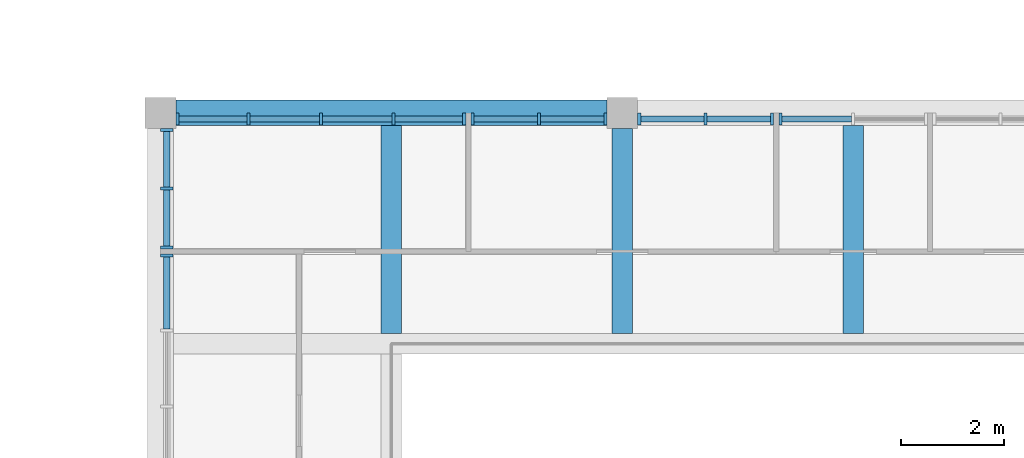
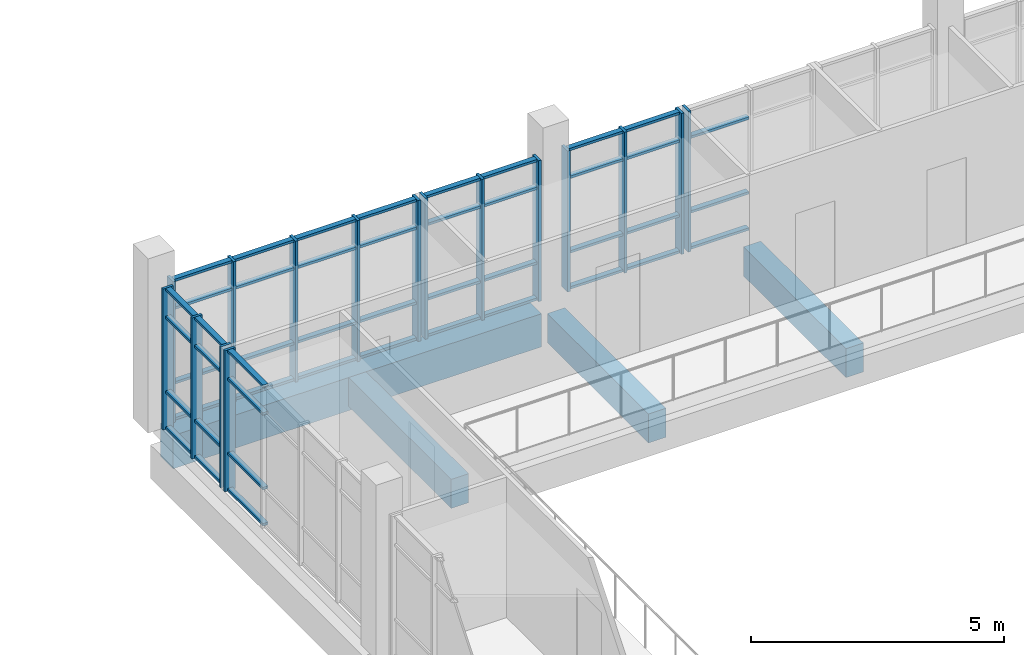
# One storey, part 9 of 88: 63 members, 4 beams, 6 elements without a shape of their own.
"""IFC4 building model written with IfcOpenShell, lengths in metres."""

from ifc_helpers import new_model, si_unit, direction, frame, origin, origin_2d, place, context, subcontext, project, spatial, rectangle, extrude, material, material_profile, profile_set, type_object, element, aggregate, save


model = new_model("IFC4")

# Units and contexts
model_context = context("Model", 3, precision=1e-05, world=origin(), true_north=direction((0.0, 1.0)))
body_context = subcontext(model_context, "Body", "Model", "MODEL_VIEW")
ifc_project = project(units=[si_unit("LENGTHUNIT", "METRE"), si_unit("AREAUNIT", "SQUARE_METRE"), si_unit("VOLUMEUNIT", "CUBIC_METRE"), si_unit("PLANEANGLEUNIT", "RADIAN"), si_unit("MASSUNIT", "GRAM", prefix="KILO")], contexts=[model_context])

# Site, building, storey
site_placement = place(None, origin())
site = spatial("IfcSite", under=ifc_project, at=site_placement, CompositionType="ELEMENT")
building_placement = place(site_placement, origin())
building = spatial("IfcBuilding", under=site, at=building_placement, Name="Merrow Basin Faculty of Sciences", CompositionType="ELEMENT")
storey_placement = place(building_placement, frame((0.0, 0.0, 9.0)))
storey = spatial("IfcBuildingStorey", under=building, at=storey_placement, Name="L02", CompositionType="ELEMENT", Elevation=9.0)

# Curtain wall, member
ifc_material_1 = material(Name="Aluminium alloy 6063", Category="aluminium")
curtain_wall_type = type_object("IfcCurtainWallType", Name="Atrium unitised curtain wall 240", PredefinedType="NOTDEFINED", material=ifc_material_1)
curtain_wall_1_placement = place(storey_placement, origin())
curtain_wall_1 = element("IfcCurtainWall", 1, at=curtain_wall_1_placement, inside=storey, type_object=curtain_wall_type, Name="W curtain wall L02 4", PredefinedType="NOTDEFINED")
ifc_material_2 = material(Name="Aluminium alloy 6063", Category="aluminium")
ifc_material_profile_1 = material_profile(ifc_material_2, rectangle(XDim=0.239990234375, YDim=0.06005859375, at=origin_2d()))
ifc_profile_set_1 = profile_set([ifc_material_profile_1], Name="Aluminium alloy 6063")
member_type_1 = type_object("IfcMemberType", Name="Aluminium mullion 60x240", PredefinedType="MULLION", material=ifc_profile_set_1)
member_1_placement = place(storey_placement, frame((45.1201171875, 33.219970703125, 0.0), z_axis=(0.0, 0.0, 1.0), x_axis=(-1.0, 0.0, 0.0)))
member_1 = element("IfcMember", 2, at=member_1_placement, type_object=member_type_1, Name="CW5 mullion 5", PredefinedType="MULLION", context=body_context, shape_type="SweptSolid", body=[
    extrude(rectangle(XDim=0.239990234375, YDim=0.06005859375, at=origin_2d()), origin(), (0.0, 0.0, 1.0), 3.39990234375),
])

# Curtain wall, members
curtain_wall_2_placement = place(storey_placement, origin())
curtain_wall_2 = element("IfcCurtainWall", 3, at=curtain_wall_2_placement, inside=storey, type_object=curtain_wall_type, Name="W curtain wall L02 5", PredefinedType="NOTDEFINED")
member_2_placement = place(storey_placement, frame((45.1201171875, 33.3798828125, 0.0), z_axis=(0.0, 0.0, 1.0), x_axis=(-1.0, 0.0, 0.0)))
member_2 = element("IfcMember", 4, at=member_2_placement, type_object=member_type_1, Name="CW5 mullion 1", PredefinedType="MULLION", context=body_context, shape_type="SweptSolid", body=[
    extrude(rectangle(XDim=0.239990234375, YDim=0.06005859375, at=origin_2d()), origin(), (0.0, 0.0, 1.0), 3.39990234375),
])
member_3_placement = place(storey_placement, frame((45.1201171875, 34.52490234375, 0.0), z_axis=(0.0, 0.0, 1.0), x_axis=(-1.0, 0.0, 0.0)))
member_3 = element("IfcMember", 5, at=member_3_placement, type_object=member_type_1, Name="CW5 mullion 2", PredefinedType="MULLION", context=body_context, shape_type="SweptSolid", body=[
    extrude(rectangle(XDim=0.239990234375, YDim=0.06005859375, at=origin_2d()), origin(), (0.0, 0.0, 1.0), 3.39990234375),
])
member_4_placement = place(storey_placement, frame((45.1201171875, 35.669921875, 0.0), z_axis=(0.0, 0.0, 1.0), x_axis=(-1.0, 0.0, 0.0)))
member_4 = element("IfcMember", 6, at=member_4_placement, type_object=member_type_1, Name="CW5 mullion 3", PredefinedType="MULLION", context=body_context, shape_type="SweptSolid", body=[
    extrude(rectangle(XDim=0.239990234375, YDim=0.06005859375, at=origin_2d()), origin(), (0.0, 0.0, 1.0), 3.39990234375),
])

curtain_wall_3_placement = place(storey_placement, origin())
curtain_wall_3 = element("IfcCurtainWall", 7, at=curtain_wall_3_placement, inside=storey, type_object=curtain_wall_type, Name="N curtain wall L02 1", PredefinedType="NOTDEFINED")
member_5_placement = place(storey_placement, frame((45.330078125, 35.8798828125, 0.0), z_axis=(0.0, 0.0, 1.0), x_axis=(0.0, 1.0, 0.0)))
member_5 = element("IfcMember", 8, at=member_5_placement, type_object=member_type_1, Name="CW5 mullion 1", PredefinedType="MULLION", context=body_context, shape_type="SweptSolid", body=[
    extrude(rectangle(XDim=0.239990234375, YDim=0.06005859375, at=origin_2d()), origin(), (0.0, 0.0, 1.0), 3.39990234375),
])
member_6_placement = place(storey_placement, frame((46.71240234375, 35.8798828125, 0.0), z_axis=(0.0, 0.0, 1.0), x_axis=(0.0, 1.0, 0.0)))
member_6 = element("IfcMember", 9, at=member_6_placement, type_object=member_type_1, Name="CW5 mullion 2", PredefinedType="MULLION", context=body_context, shape_type="SweptSolid", body=[
    extrude(rectangle(XDim=0.239990234375, YDim=0.06005859375, at=origin_2d()), origin(), (0.0, 0.0, 1.0), 3.39990234375),
])
member_7_placement = place(storey_placement, frame((48.125, 35.8798828125, 0.0), z_axis=(0.0, 0.0, 1.0), x_axis=(0.0, 1.0, 0.0)))
member_7 = element("IfcMember", 10, at=member_7_placement, type_object=member_type_1, Name="CW5 mullion 3", PredefinedType="MULLION", context=body_context, shape_type="SweptSolid", body=[
    extrude(rectangle(XDim=0.239990234375, YDim=0.06005859375, at=origin_2d()), origin(), (0.0, 0.0, 1.0), 3.39990234375),
])
member_8_placement = place(storey_placement, frame((49.53759765625, 35.8798828125, 0.0), z_axis=(0.0, 0.0, 1.0), x_axis=(0.0, 1.0, 0.0)))
member_8 = element("IfcMember", 11, at=member_8_placement, type_object=member_type_1, Name="CW5 mullion 4", PredefinedType="MULLION", context=body_context, shape_type="SweptSolid", body=[
    extrude(rectangle(XDim=0.239990234375, YDim=0.06005859375, at=origin_2d()), origin(), (0.0, 0.0, 1.0), 3.39990234375),
])
member_9_placement = place(storey_placement, frame((50.919921875, 35.8798828125, 0.0), z_axis=(0.0, 0.0, 1.0), x_axis=(0.0, 1.0, 0.0)))
member_9 = element("IfcMember", 12, at=member_9_placement, type_object=member_type_1, Name="CW5 mullion 5", PredefinedType="MULLION", context=body_context, shape_type="SweptSolid", body=[
    extrude(rectangle(XDim=0.239990234375, YDim=0.06005859375, at=origin_2d()), origin(), (0.0, 0.0, 1.0), 3.39990234375),
])

curtain_wall_4_placement = place(storey_placement, origin())
curtain_wall_4 = element("IfcCurtainWall", 13, at=curtain_wall_4_placement, inside=storey, type_object=curtain_wall_type, Name="N curtain wall L02 2", PredefinedType="NOTDEFINED")
member_10_placement = place(storey_placement, frame((51.080078125, 35.8798828125, 0.0), z_axis=(0.0, 0.0, 1.0), x_axis=(0.0, 1.0, 0.0)))
member_10 = element("IfcMember", 14, at=member_10_placement, type_object=member_type_1, Name="CW5 mullion 1", PredefinedType="MULLION", context=body_context, shape_type="SweptSolid", body=[
    extrude(rectangle(XDim=0.239990234375, YDim=0.06005859375, at=origin_2d()), origin(), (0.0, 0.0, 1.0), 3.39990234375),
])
member_11_placement = place(storey_placement, frame((52.375, 35.8798828125, 0.0), z_axis=(0.0, 0.0, 1.0), x_axis=(0.0, 1.0, 0.0)))
member_11 = element("IfcMember", 15, at=member_11_placement, type_object=member_type_1, Name="CW5 mullion 2", PredefinedType="MULLION", context=body_context, shape_type="SweptSolid", body=[
    extrude(rectangle(XDim=0.239990234375, YDim=0.06005859375, at=origin_2d()), origin(), (0.0, 0.0, 1.0), 3.39990234375),
])
member_12_placement = place(storey_placement, frame((53.669921875, 35.8798828125, 0.0), z_axis=(0.0, 0.0, 1.0), x_axis=(0.0, 1.0, 0.0)))
member_12 = element("IfcMember", 16, at=member_12_placement, type_object=member_type_1, Name="CW5 mullion 3", PredefinedType="MULLION", context=body_context, shape_type="SweptSolid", body=[
    extrude(rectangle(XDim=0.239990234375, YDim=0.06005859375, at=origin_2d()), origin(), (0.0, 0.0, 1.0), 3.39990234375),
])

curtain_wall_5_placement = place(storey_placement, origin())
curtain_wall_5 = element("IfcCurtainWall", 17, at=curtain_wall_5_placement, inside=storey, type_object=curtain_wall_type, Name="N curtain wall L02 3", PredefinedType="NOTDEFINED")
member_13_placement = place(storey_placement, frame((54.330078125, 35.8798828125, 0.0), z_axis=(0.0, 0.0, 1.0), x_axis=(0.0, 1.0, 0.0)))
member_13 = element("IfcMember", 18, at=member_13_placement, type_object=member_type_1, Name="CW5 mullion 1", PredefinedType="MULLION", context=body_context, shape_type="SweptSolid", body=[
    extrude(rectangle(XDim=0.239990234375, YDim=0.06005859375, at=origin_2d()), origin(), (0.0, 0.0, 1.0), 3.39990234375),
])
member_14_placement = place(storey_placement, frame((55.625, 35.8798828125, 0.0), z_axis=(0.0, 0.0, 1.0), x_axis=(0.0, 1.0, 0.0)))
member_14 = element("IfcMember", 19, at=member_14_placement, type_object=member_type_1, Name="CW5 mullion 2", PredefinedType="MULLION", context=body_context, shape_type="SweptSolid", body=[
    extrude(rectangle(XDim=0.239990234375, YDim=0.06005859375, at=origin_2d()), origin(), (0.0, 0.0, 1.0), 3.39990234375),
])
member_15_placement = place(storey_placement, frame((56.919921875, 35.8798828125, 0.0), z_axis=(0.0, 0.0, 1.0), x_axis=(0.0, 1.0, 0.0)))
member_15 = element("IfcMember", 20, at=member_15_placement, type_object=member_type_1, Name="CW5 mullion 3", PredefinedType="MULLION", context=body_context, shape_type="SweptSolid", body=[
    extrude(rectangle(XDim=0.239990234375, YDim=0.06005859375, at=origin_2d()), origin(), (0.0, 0.0, 1.0), 3.39990234375),
])

# Curtain wall, member
curtain_wall_6_placement = place(storey_placement, origin())
curtain_wall_6 = element("IfcCurtainWall", 21, at=curtain_wall_6_placement, inside=storey, type_object=curtain_wall_type, Name="N curtain wall L02 4", PredefinedType="NOTDEFINED")
member_16_placement = place(storey_placement, frame((57.080078125, 35.8798828125, 0.0), z_axis=(0.0, 0.0, 1.0), x_axis=(0.0, 1.0, 0.0)))
member_16 = element("IfcMember", 22, at=member_16_placement, type_object=member_type_1, Name="CW5 mullion 1", PredefinedType="MULLION", context=body_context, shape_type="SweptSolid", body=[
    extrude(rectangle(XDim=0.239990234375, YDim=0.06005859375, at=origin_2d()), origin(), (0.0, 0.0, 1.0), 3.39990234375),
])

# Member
ifc_material_3 = material(Name="Aluminium alloy 6063", Category="aluminium")
ifc_material_profile_2 = material_profile(ifc_material_3, rectangle(XDim=0.1201171875, YDim=0.06005859375, at=origin_2d()))
ifc_profile_set_2 = profile_set([ifc_material_profile_2], Name="Aluminium alloy 6063")
member_type_2 = type_object("IfcMemberType", Name="Aluminium transom 60x120", PredefinedType="USERDEFINED", material=ifc_profile_set_2)
member_17_placement = place(storey_placement, frame((45.1201171875, 31.79248046875, 0.030029296875), z_axis=(0.0, 1.0, 0.0), x_axis=(-1.0, 0.0, 0.0)))
member_17 = element("IfcMember", 23, at=member_17_placement, type_object=member_type_2, Name="CW5 transom 4.1", ObjectType="TRANSOM", PredefinedType="USERDEFINED", context=body_context, shape_type="SweptSolid", body=[
    extrude(rectangle(XDim=0.1201171875, YDim=0.06005859375, at=origin_2d()), origin(), (0.0, 0.0, 1.0), 1.3974609375),
])

member_18_placement = place(storey_placement, frame((45.1201171875, 31.79248046875, 0.89990234375), z_axis=(0.0, 1.0, 0.0), x_axis=(-1.0, 0.0, 0.0)))
member_18 = element("IfcMember", 24, at=member_18_placement, type_object=member_type_2, Name="CW5 transom 4.2", ObjectType="TRANSOM", PredefinedType="USERDEFINED", context=body_context, shape_type="SweptSolid", body=[
    extrude(rectangle(XDim=0.1201171875, YDim=0.06005859375, at=origin_2d()), origin(), (0.0, 0.0, 1.0), 1.3974609375),
])

member_19_placement = place(storey_placement, frame((45.1201171875, 31.79248046875, 2.699951171875), z_axis=(0.0, 1.0, 0.0), x_axis=(-1.0, 0.0, 0.0)))
member_19 = element("IfcMember", 25, at=member_19_placement, type_object=member_type_2, Name="CW5 transom 4.3", ObjectType="TRANSOM", PredefinedType="USERDEFINED", context=body_context, shape_type="SweptSolid", body=[
    extrude(rectangle(XDim=0.1201171875, YDim=0.06005859375, at=origin_2d()), origin(), (0.0, 0.0, 1.0), 1.3974609375),
])

member_20_placement = place(storey_placement, frame((45.1201171875, 31.79248046875, 3.3701171875), z_axis=(0.0, 1.0, 0.0), x_axis=(-1.0, 0.0, 0.0)))
member_20 = element("IfcMember", 26, at=member_20_placement, type_object=member_type_2, Name="CW5 transom 4.4", ObjectType="TRANSOM", PredefinedType="USERDEFINED", context=body_context, shape_type="SweptSolid", body=[
    extrude(rectangle(XDim=0.1201171875, YDim=0.06005859375, at=origin_2d()), origin(), (0.0, 0.0, 1.0), 1.3974609375),
])

aggregate(curtain_wall_1, [member_1, member_17, member_18, member_19, member_20])

member_21_placement = place(storey_placement, frame((45.1201171875, 33.409912109375, 0.030029296875), z_axis=(0.0, 1.0, 0.0), x_axis=(-1.0, 0.0, 0.0)))
member_21 = element("IfcMember", 27, at=member_21_placement, type_object=member_type_2, Name="CW5 transom 1.1", ObjectType="TRANSOM", PredefinedType="USERDEFINED", context=body_context, shape_type="SweptSolid", body=[
    extrude(rectangle(XDim=0.1201171875, YDim=0.06005859375, at=origin_2d()), origin(), (0.0, 0.0, 1.0), 1.085205078125),
])

member_22_placement = place(storey_placement, frame((45.1201171875, 33.409912109375, 0.89990234375), z_axis=(0.0, 1.0, 0.0), x_axis=(-1.0, 0.0, 0.0)))
member_22 = element("IfcMember", 28, at=member_22_placement, type_object=member_type_2, Name="CW5 transom 1.2", ObjectType="TRANSOM", PredefinedType="USERDEFINED", context=body_context, shape_type="SweptSolid", body=[
    extrude(rectangle(XDim=0.1201171875, YDim=0.06005859375, at=origin_2d()), origin(), (0.0, 0.0, 1.0), 1.085205078125),
])

member_23_placement = place(storey_placement, frame((45.1201171875, 33.409912109375, 2.699951171875), z_axis=(0.0, 1.0, 0.0), x_axis=(-1.0, 0.0, 0.0)))
member_23 = element("IfcMember", 29, at=member_23_placement, type_object=member_type_2, Name="CW5 transom 1.3", ObjectType="TRANSOM", PredefinedType="USERDEFINED", context=body_context, shape_type="SweptSolid", body=[
    extrude(rectangle(XDim=0.1201171875, YDim=0.06005859375, at=origin_2d()), origin(), (0.0, 0.0, 1.0), 1.085205078125),
])

member_24_placement = place(storey_placement, frame((45.1201171875, 33.409912109375, 3.3701171875), z_axis=(0.0, 1.0, 0.0), x_axis=(-1.0, 0.0, 0.0)))
member_24 = element("IfcMember", 30, at=member_24_placement, type_object=member_type_2, Name="CW5 transom 1.4", ObjectType="TRANSOM", PredefinedType="USERDEFINED", context=body_context, shape_type="SweptSolid", body=[
    extrude(rectangle(XDim=0.1201171875, YDim=0.06005859375, at=origin_2d()), origin(), (0.0, 0.0, 1.0), 1.085205078125),
])

member_25_placement = place(storey_placement, frame((45.1201171875, 34.554931640625, 0.030029296875), z_axis=(0.0, 1.0, 0.0), x_axis=(-1.0, 0.0, 0.0)))
member_25 = element("IfcMember", 31, at=member_25_placement, type_object=member_type_2, Name="CW5 transom 2.1", ObjectType="TRANSOM", PredefinedType="USERDEFINED", context=body_context, shape_type="SweptSolid", body=[
    extrude(rectangle(XDim=0.1201171875, YDim=0.06005859375, at=origin_2d()), origin(), (0.0, 0.0, 1.0), 1.0849609375),
])

member_26_placement = place(storey_placement, frame((45.1201171875, 34.554931640625, 0.89990234375), z_axis=(0.0, 1.0, 0.0), x_axis=(-1.0, 0.0, 0.0)))
member_26 = element("IfcMember", 32, at=member_26_placement, type_object=member_type_2, Name="CW5 transom 2.2", ObjectType="TRANSOM", PredefinedType="USERDEFINED", context=body_context, shape_type="SweptSolid", body=[
    extrude(rectangle(XDim=0.1201171875, YDim=0.06005859375, at=origin_2d()), origin(), (0.0, 0.0, 1.0), 1.0849609375),
])

member_27_placement = place(storey_placement, frame((45.1201171875, 34.554931640625, 2.699951171875), z_axis=(0.0, 1.0, 0.0), x_axis=(-1.0, 0.0, 0.0)))
member_27 = element("IfcMember", 33, at=member_27_placement, type_object=member_type_2, Name="CW5 transom 2.3", ObjectType="TRANSOM", PredefinedType="USERDEFINED", context=body_context, shape_type="SweptSolid", body=[
    extrude(rectangle(XDim=0.1201171875, YDim=0.06005859375, at=origin_2d()), origin(), (0.0, 0.0, 1.0), 1.0849609375),
])

member_28_placement = place(storey_placement, frame((45.1201171875, 34.554931640625, 3.3701171875), z_axis=(0.0, 1.0, 0.0), x_axis=(-1.0, 0.0, 0.0)))
member_28 = element("IfcMember", 34, at=member_28_placement, type_object=member_type_2, Name="CW5 transom 2.4", ObjectType="TRANSOM", PredefinedType="USERDEFINED", context=body_context, shape_type="SweptSolid", body=[
    extrude(rectangle(XDim=0.1201171875, YDim=0.06005859375, at=origin_2d()), origin(), (0.0, 0.0, 1.0), 1.0849609375),
])

aggregate(curtain_wall_2, [member_2, member_3, member_4, member_21, member_22, member_23, member_24, member_25, member_26, member_27, member_28])

member_29_placement = place(storey_placement, frame((45.360107421875, 35.8798828125, 0.030029296875), z_axis=(1.0, 0.0, 0.0), x_axis=(0.0, 1.0, 0.0)))
member_29 = element("IfcMember", 35, at=member_29_placement, type_object=member_type_2, Name="CW5 transom 1.1", ObjectType="TRANSOM", PredefinedType="USERDEFINED", context=body_context, shape_type="SweptSolid", body=[
    extrude(rectangle(XDim=0.1201171875, YDim=0.06005859375, at=origin_2d()), origin(), (0.0, 0.0, 1.0), 1.322509765625),
])

member_30_placement = place(storey_placement, frame((45.360107421875, 35.8798828125, 0.89990234375), z_axis=(1.0, 0.0, 0.0), x_axis=(0.0, 1.0, 0.0)))
member_30 = element("IfcMember", 36, at=member_30_placement, type_object=member_type_2, Name="CW5 transom 1.2", ObjectType="TRANSOM", PredefinedType="USERDEFINED", context=body_context, shape_type="SweptSolid", body=[
    extrude(rectangle(XDim=0.1201171875, YDim=0.06005859375, at=origin_2d()), origin(), (0.0, 0.0, 1.0), 1.322509765625),
])

member_31_placement = place(storey_placement, frame((45.360107421875, 35.8798828125, 2.699951171875), z_axis=(1.0, 0.0, 0.0), x_axis=(0.0, 1.0, 0.0)))
member_31 = element("IfcMember", 37, at=member_31_placement, type_object=member_type_2, Name="CW5 transom 1.3", ObjectType="TRANSOM", PredefinedType="USERDEFINED", context=body_context, shape_type="SweptSolid", body=[
    extrude(rectangle(XDim=0.1201171875, YDim=0.06005859375, at=origin_2d()), origin(), (0.0, 0.0, 1.0), 1.322509765625),
])

member_32_placement = place(storey_placement, frame((45.360107421875, 35.8798828125, 3.3701171875), z_axis=(1.0, 0.0, 0.0), x_axis=(0.0, 1.0, 0.0)))
member_32 = element("IfcMember", 38, at=member_32_placement, type_object=member_type_2, Name="CW5 transom 1.4", ObjectType="TRANSOM", PredefinedType="USERDEFINED", context=body_context, shape_type="SweptSolid", body=[
    extrude(rectangle(XDim=0.1201171875, YDim=0.06005859375, at=origin_2d()), origin(), (0.0, 0.0, 1.0), 1.322509765625),
])

member_33_placement = place(storey_placement, frame((46.742431640625, 35.8798828125, 0.030029296875), z_axis=(1.0, 0.0, 0.0), x_axis=(0.0, 1.0, 0.0)))
member_33 = element("IfcMember", 39, at=member_33_placement, type_object=member_type_2, Name="CW5 transom 2.1", ObjectType="TRANSOM", PredefinedType="USERDEFINED", context=body_context, shape_type="SweptSolid", body=[
    extrude(rectangle(XDim=0.1201171875, YDim=0.06005859375, at=origin_2d()), origin(), (0.0, 0.0, 1.0), 1.3525390625),
])

member_34_placement = place(storey_placement, frame((46.742431640625, 35.8798828125, 0.89990234375), z_axis=(1.0, 0.0, 0.0), x_axis=(0.0, 1.0, 0.0)))
member_34 = element("IfcMember", 40, at=member_34_placement, type_object=member_type_2, Name="CW5 transom 2.2", ObjectType="TRANSOM", PredefinedType="USERDEFINED", context=body_context, shape_type="SweptSolid", body=[
    extrude(rectangle(XDim=0.1201171875, YDim=0.06005859375, at=origin_2d()), origin(), (0.0, 0.0, 1.0), 1.3525390625),
])

member_35_placement = place(storey_placement, frame((46.742431640625, 35.8798828125, 2.699951171875), z_axis=(1.0, 0.0, 0.0), x_axis=(0.0, 1.0, 0.0)))
member_35 = element("IfcMember", 41, at=member_35_placement, type_object=member_type_2, Name="CW5 transom 2.3", ObjectType="TRANSOM", PredefinedType="USERDEFINED", context=body_context, shape_type="SweptSolid", body=[
    extrude(rectangle(XDim=0.1201171875, YDim=0.06005859375, at=origin_2d()), origin(), (0.0, 0.0, 1.0), 1.3525390625),
])

member_36_placement = place(storey_placement, frame((46.742431640625, 35.8798828125, 3.3701171875), z_axis=(1.0, 0.0, 0.0), x_axis=(0.0, 1.0, 0.0)))
member_36 = element("IfcMember", 42, at=member_36_placement, type_object=member_type_2, Name="CW5 transom 2.4", ObjectType="TRANSOM", PredefinedType="USERDEFINED", context=body_context, shape_type="SweptSolid", body=[
    extrude(rectangle(XDim=0.1201171875, YDim=0.06005859375, at=origin_2d()), origin(), (0.0, 0.0, 1.0), 1.3525390625),
])

member_37_placement = place(storey_placement, frame((48.155029296875, 35.8798828125, 0.030029296875), z_axis=(1.0, 0.0, 0.0), x_axis=(0.0, 1.0, 0.0)))
member_37 = element("IfcMember", 43, at=member_37_placement, type_object=member_type_2, Name="CW5 transom 3.1", ObjectType="TRANSOM", PredefinedType="USERDEFINED", context=body_context, shape_type="SweptSolid", body=[
    extrude(rectangle(XDim=0.1201171875, YDim=0.06005859375, at=origin_2d()), origin(), (0.0, 0.0, 1.0), 1.3525390625),
])

member_38_placement = place(storey_placement, frame((48.155029296875, 35.8798828125, 0.89990234375), z_axis=(1.0, 0.0, 0.0), x_axis=(0.0, 1.0, 0.0)))
member_38 = element("IfcMember", 44, at=member_38_placement, type_object=member_type_2, Name="CW5 transom 3.2", ObjectType="TRANSOM", PredefinedType="USERDEFINED", context=body_context, shape_type="SweptSolid", body=[
    extrude(rectangle(XDim=0.1201171875, YDim=0.06005859375, at=origin_2d()), origin(), (0.0, 0.0, 1.0), 1.3525390625),
])

member_39_placement = place(storey_placement, frame((48.155029296875, 35.8798828125, 2.699951171875), z_axis=(1.0, 0.0, 0.0), x_axis=(0.0, 1.0, 0.0)))
member_39 = element("IfcMember", 45, at=member_39_placement, type_object=member_type_2, Name="CW5 transom 3.3", ObjectType="TRANSOM", PredefinedType="USERDEFINED", context=body_context, shape_type="SweptSolid", body=[
    extrude(rectangle(XDim=0.1201171875, YDim=0.06005859375, at=origin_2d()), origin(), (0.0, 0.0, 1.0), 1.3525390625),
])

member_40_placement = place(storey_placement, frame((48.155029296875, 35.8798828125, 3.3701171875), z_axis=(1.0, 0.0, 0.0), x_axis=(0.0, 1.0, 0.0)))
member_40 = element("IfcMember", 46, at=member_40_placement, type_object=member_type_2, Name="CW5 transom 3.4", ObjectType="TRANSOM", PredefinedType="USERDEFINED", context=body_context, shape_type="SweptSolid", body=[
    extrude(rectangle(XDim=0.1201171875, YDim=0.06005859375, at=origin_2d()), origin(), (0.0, 0.0, 1.0), 1.3525390625),
])

member_41_placement = place(storey_placement, frame((49.5673828125, 35.8798828125, 0.030029296875), z_axis=(1.0, 0.0, 0.0), x_axis=(0.0, 1.0, 0.0)))
member_41 = element("IfcMember", 47, at=member_41_placement, type_object=member_type_2, Name="CW5 transom 4.1", ObjectType="TRANSOM", PredefinedType="USERDEFINED", context=body_context, shape_type="SweptSolid", body=[
    extrude(rectangle(XDim=0.1201171875, YDim=0.06005859375, at=origin_2d()), origin(), (0.0, 0.0, 1.0), 1.322509765625),
])

member_42_placement = place(storey_placement, frame((49.5673828125, 35.8798828125, 0.89990234375), z_axis=(1.0, 0.0, 0.0), x_axis=(0.0, 1.0, 0.0)))
member_42 = element("IfcMember", 48, at=member_42_placement, type_object=member_type_2, Name="CW5 transom 4.2", ObjectType="TRANSOM", PredefinedType="USERDEFINED", context=body_context, shape_type="SweptSolid", body=[
    extrude(rectangle(XDim=0.1201171875, YDim=0.06005859375, at=origin_2d()), origin(), (0.0, 0.0, 1.0), 1.322509765625),
])

member_43_placement = place(storey_placement, frame((49.5673828125, 35.8798828125, 2.699951171875), z_axis=(1.0, 0.0, 0.0), x_axis=(0.0, 1.0, 0.0)))
member_43 = element("IfcMember", 49, at=member_43_placement, type_object=member_type_2, Name="CW5 transom 4.3", ObjectType="TRANSOM", PredefinedType="USERDEFINED", context=body_context, shape_type="SweptSolid", body=[
    extrude(rectangle(XDim=0.1201171875, YDim=0.06005859375, at=origin_2d()), origin(), (0.0, 0.0, 1.0), 1.322509765625),
])

member_44_placement = place(storey_placement, frame((49.5673828125, 35.8798828125, 3.3701171875), z_axis=(1.0, 0.0, 0.0), x_axis=(0.0, 1.0, 0.0)))
member_44 = element("IfcMember", 50, at=member_44_placement, type_object=member_type_2, Name="CW5 transom 4.4", ObjectType="TRANSOM", PredefinedType="USERDEFINED", context=body_context, shape_type="SweptSolid", body=[
    extrude(rectangle(XDim=0.1201171875, YDim=0.06005859375, at=origin_2d()), origin(), (0.0, 0.0, 1.0), 1.322509765625),
])

aggregate(curtain_wall_3, [member_5, member_6, member_7, member_8, member_9, member_29, member_30, member_31, member_32, member_33, member_34, member_35, member_36, member_37, member_38, member_39, member_40, member_41, member_42, member_43, member_44])

member_45_placement = place(storey_placement, frame((51.110107421875, 35.8798828125, 0.030029296875), z_axis=(1.0, 0.0, 0.0), x_axis=(0.0, 1.0, 0.0)))
member_45 = element("IfcMember", 51, at=member_45_placement, type_object=member_type_2, Name="CW5 transom 1.1", ObjectType="TRANSOM", PredefinedType="USERDEFINED", context=body_context, shape_type="SweptSolid", body=[
    extrude(rectangle(XDim=0.1201171875, YDim=0.06005859375, at=origin_2d()), origin(), (0.0, 0.0, 1.0), 1.23486328125),
])

member_46_placement = place(storey_placement, frame((51.110107421875, 35.8798828125, 0.89990234375), z_axis=(1.0, 0.0, 0.0), x_axis=(0.0, 1.0, 0.0)))
member_46 = element("IfcMember", 52, at=member_46_placement, type_object=member_type_2, Name="CW5 transom 1.2", ObjectType="TRANSOM", PredefinedType="USERDEFINED", context=body_context, shape_type="SweptSolid", body=[
    extrude(rectangle(XDim=0.1201171875, YDim=0.06005859375, at=origin_2d()), origin(), (0.0, 0.0, 1.0), 1.23486328125),
])

member_47_placement = place(storey_placement, frame((51.110107421875, 35.8798828125, 2.699951171875), z_axis=(1.0, 0.0, 0.0), x_axis=(0.0, 1.0, 0.0)))
member_47 = element("IfcMember", 53, at=member_47_placement, type_object=member_type_2, Name="CW5 transom 1.3", ObjectType="TRANSOM", PredefinedType="USERDEFINED", context=body_context, shape_type="SweptSolid", body=[
    extrude(rectangle(XDim=0.1201171875, YDim=0.06005859375, at=origin_2d()), origin(), (0.0, 0.0, 1.0), 1.23486328125),
])

member_48_placement = place(storey_placement, frame((51.110107421875, 35.8798828125, 3.3701171875), z_axis=(1.0, 0.0, 0.0), x_axis=(0.0, 1.0, 0.0)))
member_48 = element("IfcMember", 54, at=member_48_placement, type_object=member_type_2, Name="CW5 transom 1.4", ObjectType="TRANSOM", PredefinedType="USERDEFINED", context=body_context, shape_type="SweptSolid", body=[
    extrude(rectangle(XDim=0.1201171875, YDim=0.06005859375, at=origin_2d()), origin(), (0.0, 0.0, 1.0), 1.23486328125),
])

member_49_placement = place(storey_placement, frame((52.405029296875, 35.8798828125, 0.030029296875), z_axis=(1.0, 0.0, 0.0), x_axis=(0.0, 1.0, 0.0)))
member_49 = element("IfcMember", 55, at=member_49_placement, type_object=member_type_2, Name="CW5 transom 2.1", ObjectType="TRANSOM", PredefinedType="USERDEFINED", context=body_context, shape_type="SweptSolid", body=[
    extrude(rectangle(XDim=0.1201171875, YDim=0.06005859375, at=origin_2d()), origin(), (0.0, 0.0, 1.0), 1.23486328125),
])

member_50_placement = place(storey_placement, frame((52.405029296875, 35.8798828125, 0.89990234375), z_axis=(1.0, 0.0, 0.0), x_axis=(0.0, 1.0, 0.0)))
member_50 = element("IfcMember", 56, at=member_50_placement, type_object=member_type_2, Name="CW5 transom 2.2", ObjectType="TRANSOM", PredefinedType="USERDEFINED", context=body_context, shape_type="SweptSolid", body=[
    extrude(rectangle(XDim=0.1201171875, YDim=0.06005859375, at=origin_2d()), origin(), (0.0, 0.0, 1.0), 1.23486328125),
])

member_51_placement = place(storey_placement, frame((52.405029296875, 35.8798828125, 2.699951171875), z_axis=(1.0, 0.0, 0.0), x_axis=(0.0, 1.0, 0.0)))
member_51 = element("IfcMember", 57, at=member_51_placement, type_object=member_type_2, Name="CW5 transom 2.3", ObjectType="TRANSOM", PredefinedType="USERDEFINED", context=body_context, shape_type="SweptSolid", body=[
    extrude(rectangle(XDim=0.1201171875, YDim=0.06005859375, at=origin_2d()), origin(), (0.0, 0.0, 1.0), 1.23486328125),
])

member_52_placement = place(storey_placement, frame((52.405029296875, 35.8798828125, 3.3701171875), z_axis=(1.0, 0.0, 0.0), x_axis=(0.0, 1.0, 0.0)))
member_52 = element("IfcMember", 58, at=member_52_placement, type_object=member_type_2, Name="CW5 transom 2.4", ObjectType="TRANSOM", PredefinedType="USERDEFINED", context=body_context, shape_type="SweptSolid", body=[
    extrude(rectangle(XDim=0.1201171875, YDim=0.06005859375, at=origin_2d()), origin(), (0.0, 0.0, 1.0), 1.23486328125),
])

aggregate(curtain_wall_4, [member_10, member_11, member_12, member_45, member_46, member_47, member_48, member_49, member_50, member_51, member_52])

member_53_placement = place(storey_placement, frame((54.360107421875, 35.8798828125, 0.030029296875), z_axis=(1.0, 0.0, 0.0), x_axis=(0.0, 1.0, 0.0)))
member_53 = element("IfcMember", 59, at=member_53_placement, type_object=member_type_2, Name="CW5 transom 1.1", ObjectType="TRANSOM", PredefinedType="USERDEFINED", context=body_context, shape_type="SweptSolid", body=[
    extrude(rectangle(XDim=0.1201171875, YDim=0.06005859375, at=origin_2d()), origin(), (0.0, 0.0, 1.0), 1.23486328125),
])

member_54_placement = place(storey_placement, frame((54.360107421875, 35.8798828125, 0.89990234375), z_axis=(1.0, 0.0, 0.0), x_axis=(0.0, 1.0, 0.0)))
member_54 = element("IfcMember", 60, at=member_54_placement, type_object=member_type_2, Name="CW5 transom 1.2", ObjectType="TRANSOM", PredefinedType="USERDEFINED", context=body_context, shape_type="SweptSolid", body=[
    extrude(rectangle(XDim=0.1201171875, YDim=0.06005859375, at=origin_2d()), origin(), (0.0, 0.0, 1.0), 1.23486328125),
])

member_55_placement = place(storey_placement, frame((54.360107421875, 35.8798828125, 2.699951171875), z_axis=(1.0, 0.0, 0.0), x_axis=(0.0, 1.0, 0.0)))
member_55 = element("IfcMember", 61, at=member_55_placement, type_object=member_type_2, Name="CW5 transom 1.3", ObjectType="TRANSOM", PredefinedType="USERDEFINED", context=body_context, shape_type="SweptSolid", body=[
    extrude(rectangle(XDim=0.1201171875, YDim=0.06005859375, at=origin_2d()), origin(), (0.0, 0.0, 1.0), 1.23486328125),
])

member_56_placement = place(storey_placement, frame((54.360107421875, 35.8798828125, 3.3701171875), z_axis=(1.0, 0.0, 0.0), x_axis=(0.0, 1.0, 0.0)))
member_56 = element("IfcMember", 62, at=member_56_placement, type_object=member_type_2, Name="CW5 transom 1.4", ObjectType="TRANSOM", PredefinedType="USERDEFINED", context=body_context, shape_type="SweptSolid", body=[
    extrude(rectangle(XDim=0.1201171875, YDim=0.06005859375, at=origin_2d()), origin(), (0.0, 0.0, 1.0), 1.23486328125),
])

member_57_placement = place(storey_placement, frame((55.655029296875, 35.8798828125, 0.030029296875), z_axis=(1.0, 0.0, 0.0), x_axis=(0.0, 1.0, 0.0)))
member_57 = element("IfcMember", 63, at=member_57_placement, type_object=member_type_2, Name="CW5 transom 2.1", ObjectType="TRANSOM", PredefinedType="USERDEFINED", context=body_context, shape_type="SweptSolid", body=[
    extrude(rectangle(XDim=0.1201171875, YDim=0.06005859375, at=origin_2d()), origin(), (0.0, 0.0, 1.0), 1.23486328125),
])

member_58_placement = place(storey_placement, frame((55.655029296875, 35.8798828125, 0.89990234375), z_axis=(1.0, 0.0, 0.0), x_axis=(0.0, 1.0, 0.0)))
member_58 = element("IfcMember", 64, at=member_58_placement, type_object=member_type_2, Name="CW5 transom 2.2", ObjectType="TRANSOM", PredefinedType="USERDEFINED", context=body_context, shape_type="SweptSolid", body=[
    extrude(rectangle(XDim=0.1201171875, YDim=0.06005859375, at=origin_2d()), origin(), (0.0, 0.0, 1.0), 1.23486328125),
])

member_59_placement = place(storey_placement, frame((55.655029296875, 35.8798828125, 2.699951171875), z_axis=(1.0, 0.0, 0.0), x_axis=(0.0, 1.0, 0.0)))
member_59 = element("IfcMember", 65, at=member_59_placement, type_object=member_type_2, Name="CW5 transom 2.3", ObjectType="TRANSOM", PredefinedType="USERDEFINED", context=body_context, shape_type="SweptSolid", body=[
    extrude(rectangle(XDim=0.1201171875, YDim=0.06005859375, at=origin_2d()), origin(), (0.0, 0.0, 1.0), 1.23486328125),
])

member_60_placement = place(storey_placement, frame((55.655029296875, 35.8798828125, 3.3701171875), z_axis=(1.0, 0.0, 0.0), x_axis=(0.0, 1.0, 0.0)))
member_60 = element("IfcMember", 66, at=member_60_placement, type_object=member_type_2, Name="CW5 transom 2.4", ObjectType="TRANSOM", PredefinedType="USERDEFINED", context=body_context, shape_type="SweptSolid", body=[
    extrude(rectangle(XDim=0.1201171875, YDim=0.06005859375, at=origin_2d()), origin(), (0.0, 0.0, 1.0), 1.23486328125),
])

aggregate(curtain_wall_5, [member_13, member_14, member_15, member_53, member_54, member_55, member_56, member_57, member_58, member_59, member_60])

member_61_placement = place(storey_placement, frame((57.110107421875, 35.8798828125, 0.030029296875), z_axis=(1.0, 0.0, 0.0), x_axis=(0.0, 1.0, 0.0)))
member_61 = element("IfcMember", 67, at=member_61_placement, type_object=member_type_2, Name="CW5 transom 1.1", ObjectType="TRANSOM", PredefinedType="USERDEFINED", context=body_context, shape_type="SweptSolid", body=[
    extrude(rectangle(XDim=0.1201171875, YDim=0.06005859375, at=origin_2d()), origin(), (0.0, 0.0, 1.0), 1.35986328125),
])

member_62_placement = place(storey_placement, frame((57.110107421875, 35.8798828125, 0.89990234375), z_axis=(1.0, 0.0, 0.0), x_axis=(0.0, 1.0, 0.0)))
member_62 = element("IfcMember", 68, at=member_62_placement, type_object=member_type_2, Name="CW5 transom 1.2", ObjectType="TRANSOM", PredefinedType="USERDEFINED", context=body_context, shape_type="SweptSolid", body=[
    extrude(rectangle(XDim=0.1201171875, YDim=0.06005859375, at=origin_2d()), origin(), (0.0, 0.0, 1.0), 1.35986328125),
])

member_63_placement = place(storey_placement, frame((57.110107421875, 35.8798828125, 2.699951171875), z_axis=(1.0, 0.0, 0.0), x_axis=(0.0, 1.0, 0.0)))
member_63 = element("IfcMember", 69, at=member_63_placement, type_object=member_type_2, Name="CW5 transom 1.3", ObjectType="TRANSOM", PredefinedType="USERDEFINED", context=body_context, shape_type="SweptSolid", body=[
    extrude(rectangle(XDim=0.1201171875, YDim=0.06005859375, at=origin_2d()), origin(), (0.0, 0.0, 1.0), 1.35986328125),
])

aggregate(curtain_wall_6, [member_16, member_61, member_62, member_63])

# Beams
ifc_material_4 = material(Name="Concrete C40/50", Category="concrete")
ifc_material_profile_3 = material_profile(ifc_material_4, rectangle(XDim=0.5, YDim=0.800048828125, at=origin_2d()))
ifc_profile_set_3 = profile_set([ifc_material_profile_3], Name="Concrete C40/50")
beam_type_1 = type_object("IfcBeamType", Name="Beam RC500x800 C40/50", PredefinedType="BEAM", material=ifc_profile_set_3)
beam_1_placement = place(storey_placement, frame((45.300048828125, 36.0, -0.699951171875), z_axis=(1.0, 0.0, 0.0), x_axis=(0.0, 1.0, 0.0)))
element("IfcBeam", 70, at=beam_1_placement, inside=storey, type_object=beam_type_1, Name="B4 L02 004", PredefinedType="BEAM", context=body_context, shape_type="SweptSolid", body=[
    extrude(rectangle(XDim=0.5, YDim=0.800048828125, at=origin_2d()), origin(), (0.0, 0.0, 1.0), 8.39990234375),
])
ifc_material_5 = material(Name="Concrete C40/50", Category="concrete")
ifc_material_profile_4 = material_profile(ifc_material_5, rectangle(XDim=0.39990234375, YDim=0.699951171875, at=origin_2d()))
ifc_profile_set_4 = profile_set([ifc_material_profile_4], Name="Concrete C40/50")
beam_type_2 = type_object("IfcBeamType", Name="Gallery edge beam RC400x700 C40/50", PredefinedType="BEAM", material=ifc_profile_set_4)
beam_2_placement = place(storey_placement, frame((49.5, 31.699951171875, -0.64990234375), z_axis=(0.0, 1.0, 0.0), x_axis=(-1.0, 0.0, 0.0)))
element("IfcBeam", 71, at=beam_2_placement, inside=storey, type_object=beam_type_2, Name="GB1 L02 016", PredefinedType="BEAM", context=body_context, shape_type="SweptSolid", body=[
    extrude(rectangle(XDim=0.39990234375, YDim=0.699951171875, at=origin_2d()), origin(), (0.0, 0.0, 1.0), 4.050048828125),
])
beam_3_placement = place(storey_placement, frame((54.0, 31.699951171875, -0.64990234375), z_axis=(0.0, 1.0, 0.0), x_axis=(-1.0, 0.0, 0.0)))
element("IfcBeam", 72, at=beam_3_placement, inside=storey, type_object=beam_type_2, Name="GB1 L02 020", PredefinedType="BEAM", context=body_context, shape_type="SweptSolid", body=[
    extrude(rectangle(XDim=0.39990234375, YDim=0.699951171875, at=origin_2d()), origin(), (0.0, 0.0, 1.0), 4.0),
])
beam_4_placement = place(storey_placement, frame((58.5, 31.699951171875, -0.64990234375), z_axis=(0.0, 1.0, 0.0), x_axis=(-1.0, 0.0, 0.0)))
element("IfcBeam", 73, at=beam_4_placement, inside=storey, type_object=beam_type_2, Name="GB1 L02 022", PredefinedType="BEAM", context=body_context, shape_type="SweptSolid", body=[
    extrude(rectangle(XDim=0.39990234375, YDim=0.699951171875, at=origin_2d()), origin(), (0.0, 0.0, 1.0), 4.050048828125),
])

save(model, "model.ifc")
